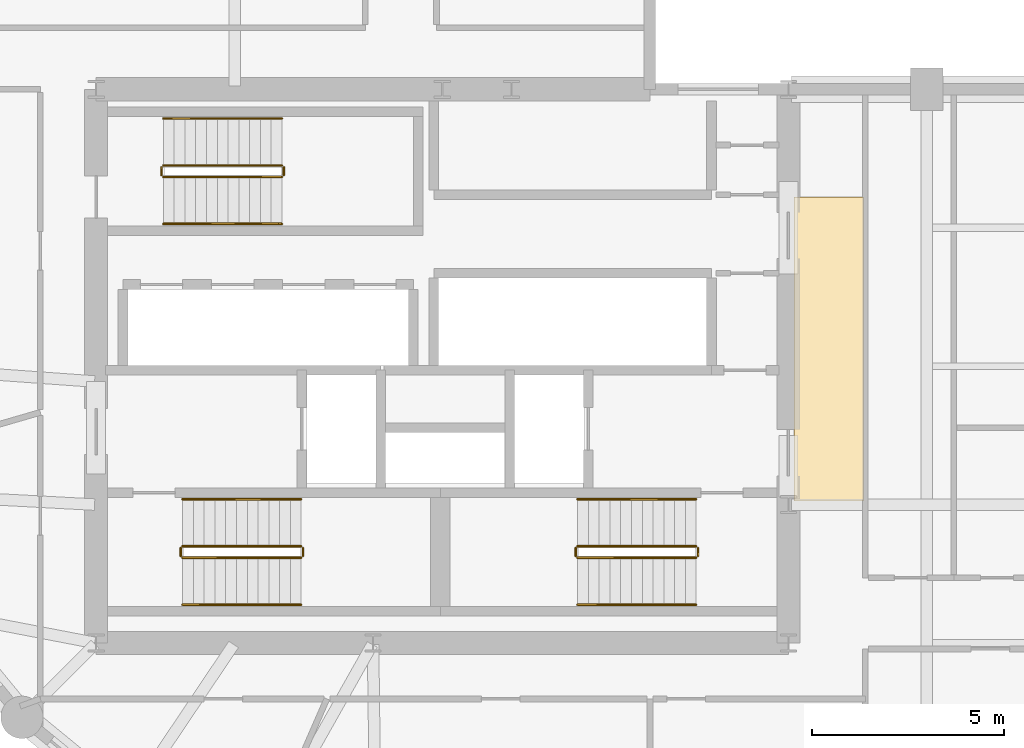
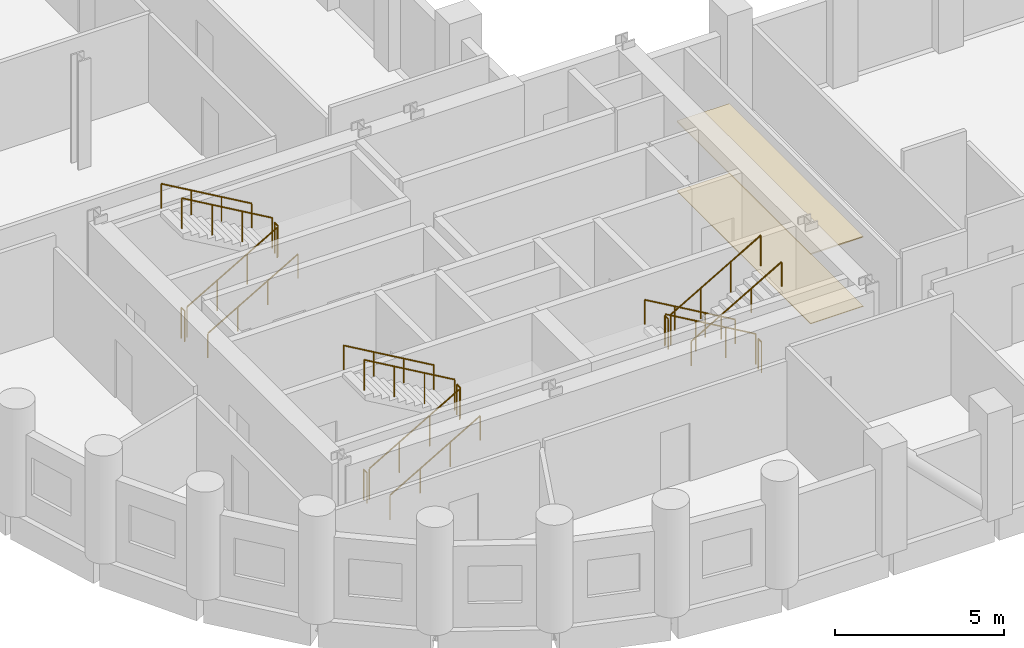
# One storey, part 7 of 8: 18 railings, 2 coverings.
"""IFC4 building model written with IfcOpenShell, lengths in metres."""

from ifc_helpers import new_model, si_unit, direction, frame, origin, origin_2d, place, context, subcontext, project, spatial, polyline, circle, outline, extrude, material, layer, layer_set, type_object, element, save


model = new_model("IFC4")

# Units and contexts
model_context = context("Model", 3, precision=1e-05, world=origin(), true_north=direction((0.0, 1.0)))
body_context = subcontext(model_context, "Body", "Model", "MODEL_VIEW")
ifc_project = project(units=[si_unit("LENGTHUNIT", "METRE"), si_unit("AREAUNIT", "SQUARE_METRE"), si_unit("VOLUMEUNIT", "CUBIC_METRE"), si_unit("PLANEANGLEUNIT", "RADIAN"), si_unit("MASSUNIT", "GRAM", prefix="KILO")], contexts=[model_context])

# Site, building, storey
site_placement = place(None, origin())
site = spatial("IfcSite", under=ifc_project, at=site_placement, CompositionType="ELEMENT")
building_placement = place(site_placement, origin())
building = spatial("IfcBuilding", under=site, at=building_placement, Name="Solnavia Interchange Tower", CompositionType="ELEMENT")
storey_placement = place(building_placement, frame((0.0, 0.0, 84.0)))
storey = spatial("IfcBuildingStorey", under=building, at=storey_placement, Name="L20", CompositionType="ELEMENT", Elevation=84.0)

# Coverings
ifc_material_1 = material(Name="Perforated Mineral-Fibre & Gypsum Ceiling", Category="gypsum")
ifc_layer_1 = layer(ifc_material_1, 0.0400390625)
ifc_layer_set_1 = layer_set([ifc_layer_1], Name="Perforated Mineral-Fibre & Gypsum Ceiling")
covering_type_1 = type_object("IfcCoveringType", Name="Covering-Ceiling-Acoustic40", PredefinedType="CEILING", material=ifc_layer_set_1)
covering_1_placement = place(storey_placement, frame((0.0, 0.0, 2.5)))
element("IfcCovering", 1, at=covering_1_placement, inside=storey, type_object=covering_type_1, Name="CLG-L20-01 Circulation suspended acoustic ceiling", PredefinedType="CEILING", context=body_context, shape_type="SweptSolid", body=[
    extrude(outline(polyline([(32.550048828125, 14.5), (34.35009765625, 14.5), (34.35009765625, 22.39990234375), (32.550048828125, 22.39990234375), (32.550048828125, 14.5)])), origin(), (0.0, 0.0, 1.0), 0.0400390625),
])
ifc_material_2 = material(Name="Polished Alicante Stone Terrazzo", Category="masonry")
ifc_layer_2 = layer(ifc_material_2, 0.02490234375)
ifc_layer_set_2 = layer_set([ifc_layer_2], Name="Polished Alicante Stone Terrazzo")
covering_type_2 = type_object("IfcCoveringType", Name="Covering-Flooring-Terrazzo25", PredefinedType="FLOORING", material=ifc_layer_set_2)
covering_2_placement = place(storey_placement, origin())
element("IfcCovering", 2, at=covering_2_placement, inside=storey, type_object=covering_type_2, Name="FLR-L20-01 Circulation floor finish", PredefinedType="FLOORING", context=body_context, shape_type="SweptSolid", body=[
    extrude(outline(polyline([(32.550048828125, 14.5), (34.35009765625, 14.5), (34.35009765625, 22.39990234375), (32.550048828125, 22.39990234375), (32.550048828125, 14.5)])), origin(), (0.0, 0.0, 1.0), 0.02490234375),
])

# Railings
ifc_material_3 = material(Name="Painted Steel Balustrade", Category="steel")
railing_type_1 = type_object("IfcRailingType", Name="Railing-StairGuard-1100", PredefinedType="GUARDRAIL", material=ifc_material_3)
railing_1_placement = place(storey_placement, frame((16.64990234375, 13.02001953125, 0.16259765625)))
element("IfcRailing", 3, at=railing_1_placement, inside=storey, type_object=railing_type_1, Name="L20 ST-1 stair guard 1", PredefinedType="GUARDRAIL", context=body_context, shape_type="SweptSolid", body=[
    extrude(circle(Radius=0.02392578125, at=origin_2d()), frame((0.0, 0.0, 1.09619140625), z_axis=(0.864920483161, 0.0, 0.501908913857), x_axis=(0.0, 1.0, 0.0)), (0.0, 0.0, 1.0), 3.56103515625),
    extrude(circle(Radius=0.02099609375, at=origin_2d()), origin(), (0.0, 0.0, 1.0), 1.072021484375),
    extrude(circle(Radius=0.02099609375, at=origin_2d()), frame((1.026611328125, 0.0, 0.595703125)), (0.0, 0.0, 1.0), 1.072021484375),
    extrude(circle(Radius=0.02099609375, at=origin_2d()), frame((2.053466796875, 0.0, 1.191650390625)), (0.0, 0.0, 1.0), 1.072021484375),
    extrude(circle(Radius=0.02099609375, at=origin_2d()), frame((3.080078125, 0.0, 1.787353515625)), (0.0, 0.0, 1.0), 1.072021484375),
])
railing_2_placement = place(storey_placement, frame((19.780029296875, 13.070068359375, 1.949951171875)))
element("IfcRailing", 4, at=railing_2_placement, inside=storey, type_object=railing_type_1, Name="L20 ST-1 stair guard 2", PredefinedType="GUARDRAIL", context=body_context, shape_type="SweptSolid", body=[
    extrude(circle(Radius=0.02392578125, at=origin_2d()), frame((0.0, 0.0, 1.09619140625), z_axis=(0.0, 1.0, 0.0), x_axis=(-1.0, 0.0, 0.0)), (0.0, 0.0, 1.0), 0.199951171875),
    extrude(circle(Radius=0.02099609375, at=origin_2d()), origin(), (0.0, 0.0, 1.0), 1.072021484375),
    extrude(circle(Radius=0.02099609375, at=origin_2d()), frame((0.0, 0.199951171875, 0.0)), (0.0, 0.0, 1.0), 1.072021484375),
])
railing_3_placement = place(storey_placement, frame((19.72998046875, 13.320068359375, 2.112548828125)))
element("IfcRailing", 5, at=railing_3_placement, inside=storey, type_object=railing_type_1, Name="L20 ST-1 stair guard 3", PredefinedType="GUARDRAIL", context=body_context, shape_type="SweptSolid", body=[
    extrude(circle(Radius=0.02392578125, at=origin_2d()), frame((0.0, 0.0, 1.09619140625), z_axis=(-0.864920483161, 0.0, 0.501908913857), x_axis=(0.0, -1.0, 0.0)), (0.0, 0.0, 1.0), 3.56103515625),
    extrude(circle(Radius=0.02099609375, at=origin_2d()), origin(), (0.0, 0.0, 1.0), 1.072021484375),
    extrude(circle(Radius=0.02099609375, at=origin_2d()), frame((-1.026611328125, 0.0, 0.595703125)), (0.0, 0.0, 1.0), 1.072021484375),
    extrude(circle(Radius=0.02099609375, at=origin_2d()), frame((-2.053466796875, 0.0, 1.191650390625)), (0.0, 0.0, 1.0), 1.072021484375),
    extrude(circle(Radius=0.02099609375, at=origin_2d()), frame((-3.080078125, 0.0, 1.787353515625)), (0.0, 0.0, 1.0), 1.072021484375),
])
railing_4_placement = place(storey_placement, frame((16.60009765625, 13.070068359375, 0.0)))
element("IfcRailing", 6, at=railing_4_placement, inside=storey, type_object=railing_type_1, Name="L20 ST-1 stair guard 4", PredefinedType="GUARDRAIL", context=body_context, shape_type="SweptSolid", body=[
    extrude(circle(Radius=0.02392578125, at=origin_2d()), frame((0.0, 0.0, 1.09619140625), z_axis=(0.0, 1.0, 0.0), x_axis=(-1.0, 0.0, 0.0)), (0.0, 0.0, 1.0), 0.199951171875),
    extrude(circle(Radius=0.02099609375, at=origin_2d()), origin(), (0.0, 0.0, 1.0), 1.072021484375),
    extrude(circle(Radius=0.02099609375, at=origin_2d()), frame((0.0, 0.199951171875, 0.0)), (0.0, 0.0, 1.0), 1.072021484375),
])
railing_5_placement = place(storey_placement, frame((30.0, 13.320068359375, 0.16259765625)))
element("IfcRailing", 7, at=railing_5_placement, inside=storey, type_object=railing_type_1, Name="L20 ST-2 stair guard 1", PredefinedType="GUARDRAIL", context=body_context, shape_type="SweptSolid", body=[
    extrude(circle(Radius=0.02392578125, at=origin_2d()), frame((0.0, 0.0, 1.09619140625), z_axis=(-0.864920483161, 0.0, 0.501908913857), x_axis=(0.0, -1.0, 0.0)), (0.0, 0.0, 1.0), 3.56103515625),
    extrude(circle(Radius=0.02099609375, at=origin_2d()), origin(), (0.0, 0.0, 1.0), 1.072021484375),
    extrude(circle(Radius=0.02099609375, at=origin_2d()), frame((-1.026611328125, 0.0, 0.595703125)), (0.0, 0.0, 1.0), 1.072021484375),
    extrude(circle(Radius=0.02099609375, at=origin_2d()), frame((-2.053466796875, 0.0, 1.191650390625)), (0.0, 0.0, 1.0), 1.072021484375),
    extrude(circle(Radius=0.02099609375, at=origin_2d()), frame((-3.080078125, 0.0, 1.787353515625)), (0.0, 0.0, 1.0), 1.072021484375),
])
railing_6_placement = place(storey_placement, frame((26.8701171875, 13.27001953125, 1.949951171875)))
element("IfcRailing", 8, at=railing_6_placement, inside=storey, type_object=railing_type_1, Name="L20 ST-2 stair guard 2", PredefinedType="GUARDRAIL", context=body_context, shape_type="SweptSolid", body=[
    extrude(circle(Radius=0.02392578125, at=origin_2d()), frame((0.0, 0.0, 1.09619140625), z_axis=(0.0, -1.0, 0.0), x_axis=(1.0, 0.0, 0.0)), (0.0, 0.0, 1.0), 0.199951171875),
    extrude(circle(Radius=0.02099609375, at=origin_2d()), origin(), (0.0, 0.0, 1.0), 1.072021484375),
    extrude(circle(Radius=0.02099609375, at=origin_2d()), frame((0.0, -0.199951171875, 0.0)), (0.0, 0.0, 1.0), 1.072021484375),
])
railing_7_placement = place(storey_placement, frame((26.919921875, 13.02001953125, 2.112548828125)))
element("IfcRailing", 9, at=railing_7_placement, inside=storey, type_object=railing_type_1, Name="L20 ST-2 stair guard 3", PredefinedType="GUARDRAIL", context=body_context, shape_type="SweptSolid", body=[
    extrude(circle(Radius=0.02392578125, at=origin_2d()), frame((0.0, 0.0, 1.09619140625), z_axis=(0.864920483161, 0.0, 0.501908913857), x_axis=(0.0, 1.0, 0.0)), (0.0, 0.0, 1.0), 3.56103515625),
    extrude(circle(Radius=0.02099609375, at=origin_2d()), origin(), (0.0, 0.0, 1.0), 1.072021484375),
    extrude(circle(Radius=0.02099609375, at=origin_2d()), frame((1.026611328125, 0.0, 0.595703125)), (0.0, 0.0, 1.0), 1.072021484375),
    extrude(circle(Radius=0.02099609375, at=origin_2d()), frame((2.053466796875, 0.0, 1.191650390625)), (0.0, 0.0, 1.0), 1.072021484375),
    extrude(circle(Radius=0.02099609375, at=origin_2d()), frame((3.080078125, 0.0, 1.787353515625)), (0.0, 0.0, 1.0), 1.072021484375),
])
railing_8_placement = place(storey_placement, frame((30.050048828125, 13.27001953125, 0.0)))
element("IfcRailing", 10, at=railing_8_placement, inside=storey, type_object=railing_type_1, Name="L20 ST-2 stair guard 4", PredefinedType="GUARDRAIL", context=body_context, shape_type="SweptSolid", body=[
    extrude(circle(Radius=0.02392578125, at=origin_2d()), frame((0.0, 0.0, 1.09619140625), z_axis=(0.0, -1.0, 0.0), x_axis=(1.0, 0.0, 0.0)), (0.0, 0.0, 1.0), 0.199951171875),
    extrude(circle(Radius=0.02099609375, at=origin_2d()), origin(), (0.0, 0.0, 1.0), 1.072021484375),
    extrude(circle(Radius=0.02099609375, at=origin_2d()), frame((0.0, -0.199951171875, 0.0)), (0.0, 0.0, 1.0), 1.072021484375),
])
railing_9_placement = place(storey_placement, frame((16.14990234375, 22.919921875, 0.16259765625)))
element("IfcRailing", 11, at=railing_9_placement, inside=storey, type_object=railing_type_1, Name="L20 ST-3 stair guard 1", PredefinedType="GUARDRAIL", context=body_context, shape_type="SweptSolid", body=[
    extrude(circle(Radius=0.02392578125, at=origin_2d()), frame((0.0, 0.0, 1.09619140625), z_axis=(0.864920483161, 0.0, 0.501908913857), x_axis=(0.0, 1.0, 0.0)), (0.0, 0.0, 1.0), 3.56103515625),
    extrude(circle(Radius=0.02099609375, at=origin_2d()), origin(), (0.0, 0.0, 1.0), 1.072021484375),
    extrude(circle(Radius=0.02099609375, at=origin_2d()), frame((1.026611328125, 0.0, 0.595703125)), (0.0, 0.0, 1.0), 1.072021484375),
    extrude(circle(Radius=0.02099609375, at=origin_2d()), frame((2.053466796875, 0.0, 1.191650390625)), (0.0, 0.0, 1.0), 1.072021484375),
    extrude(circle(Radius=0.02099609375, at=origin_2d()), frame((3.080078125, 0.0, 1.787353515625)), (0.0, 0.0, 1.0), 1.072021484375),
])
railing_10_placement = place(storey_placement, frame((19.280029296875, 22.969970703125, 1.949951171875)))
element("IfcRailing", 12, at=railing_10_placement, inside=storey, type_object=railing_type_1, Name="L20 ST-3 stair guard 2", PredefinedType="GUARDRAIL", context=body_context, shape_type="SweptSolid", body=[
    extrude(circle(Radius=0.02392578125, at=origin_2d()), frame((0.0, 0.0, 1.09619140625), z_axis=(0.0, 1.0, 0.0), x_axis=(-1.0, 0.0, 0.0)), (0.0, 0.0, 1.0), 0.199951171875),
    extrude(circle(Radius=0.02099609375, at=origin_2d()), origin(), (0.0, 0.0, 1.0), 1.072021484375),
    extrude(circle(Radius=0.02099609375, at=origin_2d()), frame((0.0, 0.199951171875, 0.0)), (0.0, 0.0, 1.0), 1.072021484375),
])
railing_11_placement = place(storey_placement, frame((19.22998046875, 23.219970703125, 2.112548828125)))
element("IfcRailing", 13, at=railing_11_placement, inside=storey, type_object=railing_type_1, Name="L20 ST-3 stair guard 3", PredefinedType="GUARDRAIL", context=body_context, shape_type="SweptSolid", body=[
    extrude(circle(Radius=0.02392578125, at=origin_2d()), frame((0.0, 0.0, 1.09619140625), z_axis=(-0.864920483161, 0.0, 0.501908913857), x_axis=(0.0, -1.0, 0.0)), (0.0, 0.0, 1.0), 3.56103515625),
    extrude(circle(Radius=0.02099609375, at=origin_2d()), origin(), (0.0, 0.0, 1.0), 1.072021484375),
    extrude(circle(Radius=0.02099609375, at=origin_2d()), frame((-1.026611328125, 0.0, 0.595703125)), (0.0, 0.0, 1.0), 1.072021484375),
    extrude(circle(Radius=0.02099609375, at=origin_2d()), frame((-2.053466796875, 0.0, 1.191650390625)), (0.0, 0.0, 1.0), 1.072021484375),
    extrude(circle(Radius=0.02099609375, at=origin_2d()), frame((-3.080078125, 0.0, 1.787353515625)), (0.0, 0.0, 1.0), 1.072021484375),
])
railing_12_placement = place(storey_placement, frame((16.10009765625, 22.969970703125, 0.0)))
element("IfcRailing", 14, at=railing_12_placement, inside=storey, type_object=railing_type_1, Name="L20 ST-3 stair guard 4", PredefinedType="GUARDRAIL", context=body_context, shape_type="SweptSolid", body=[
    extrude(circle(Radius=0.02392578125, at=origin_2d()), frame((0.0, 0.0, 1.09619140625), z_axis=(0.0, 1.0, 0.0), x_axis=(-1.0, 0.0, 0.0)), (0.0, 0.0, 1.0), 0.199951171875),
    extrude(circle(Radius=0.02099609375, at=origin_2d()), origin(), (0.0, 0.0, 1.0), 1.072021484375),
    extrude(circle(Radius=0.02099609375, at=origin_2d()), frame((0.0, 0.199951171875, 0.0)), (0.0, 0.0, 1.0), 1.072021484375),
])
ifc_material_4 = material(Name="Brushed Stainless Steel", Category="steel")
railing_type_2 = type_object("IfcRailingType", Name="Railing-StairHandrail-900", PredefinedType="HANDRAIL", material=ifc_material_4)
railing_13_placement = place(storey_placement, frame((16.64990234375, 11.800048828125, 0.16259765625)))
element("IfcRailing", 15, at=railing_13_placement, inside=storey, type_object=railing_type_2, Name="L20 ST-1 stair handrail 1", PredefinedType="HANDRAIL", context=body_context, shape_type="SweptSolid", body=[
    extrude(circle(Radius=0.02392578125, at=origin_2d()), frame((0.0, 0.0, 0.8759765625), z_axis=(0.864920483161, 0.0, 0.501908913857), x_axis=(0.0, 1.0, 0.0)), (0.0, 0.0, 1.0), 3.56103515625),
    extrude(circle(Radius=0.02099609375, at=origin_2d()), origin(), (0.0, 0.0, 1.0), 0.851806640625),
    extrude(circle(Radius=0.02099609375, at=origin_2d()), frame((1.026611328125, 0.0, 0.595703125)), (0.0, 0.0, 1.0), 0.851806640625),
    extrude(circle(Radius=0.02099609375, at=origin_2d()), frame((2.053466796875, 0.0, 1.191650390625)), (0.0, 0.0, 1.0), 0.851806640625),
    extrude(circle(Radius=0.02099609375, at=origin_2d()), frame((3.080078125, 0.0, 1.787353515625)), (0.0, 0.0, 1.0), 0.851806640625),
])
for number, where, name in (
    (16, (19.72998046875, 14.5400390625, 2.112548828125), "L20 ST-1 stair handrail 2"),
    (17, (30.0, 14.5400390625, 0.16259765625), "L20 ST-2 stair handrail 1"),
):
    element("IfcRailing", number, at=place(storey_placement, frame(where)), inside=storey, type_object=railing_type_2, Name=name, PredefinedType="HANDRAIL", context=body_context, shape_type="SweptSolid", body=[
        extrude(circle(Radius=0.02392578125, at=origin_2d()), frame((0.0, 0.0, 0.8759765625), z_axis=(-0.864920483161, 0.0, 0.501908913857), x_axis=(0.0, -1.0, 0.0)), (0.0, 0.0, 1.0), 3.56103515625),
        extrude(circle(Radius=0.02099609375, at=origin_2d()), origin(), (0.0, 0.0, 1.0), 0.851806640625),
        extrude(circle(Radius=0.02099609375, at=origin_2d()), frame((-1.026611328125, 0.0, 0.595703125)), (0.0, 0.0, 1.0), 0.851806640625),
        extrude(circle(Radius=0.02099609375, at=origin_2d()), frame((-2.053466796875, 0.0, 1.191650390625)), (0.0, 0.0, 1.0), 0.851806640625),
        extrude(circle(Radius=0.02099609375, at=origin_2d()), frame((-3.080078125, 0.0, 1.787353515625)), (0.0, 0.0, 1.0), 0.851806640625),
    ])
for number, where, name in (
    (18, (26.919921875, 11.800048828125, 2.112548828125), "L20 ST-2 stair handrail 2"),
    (19, (16.14990234375, 21.699951171875, 0.16259765625), "L20 ST-3 stair handrail 1"),
):
    element("IfcRailing", number, at=place(storey_placement, frame(where)), inside=storey, type_object=railing_type_2, Name=name, PredefinedType="HANDRAIL", context=body_context, shape_type="SweptSolid", body=[
        extrude(circle(Radius=0.02392578125, at=origin_2d()), frame((0.0, 0.0, 0.8759765625), z_axis=(0.864920483161, 0.0, 0.501908913857), x_axis=(0.0, 1.0, 0.0)), (0.0, 0.0, 1.0), 3.56103515625),
        extrude(circle(Radius=0.02099609375, at=origin_2d()), origin(), (0.0, 0.0, 1.0), 0.851806640625),
        extrude(circle(Radius=0.02099609375, at=origin_2d()), frame((1.026611328125, 0.0, 0.595703125)), (0.0, 0.0, 1.0), 0.851806640625),
        extrude(circle(Radius=0.02099609375, at=origin_2d()), frame((2.053466796875, 0.0, 1.191650390625)), (0.0, 0.0, 1.0), 0.851806640625),
        extrude(circle(Radius=0.02099609375, at=origin_2d()), frame((3.080078125, 0.0, 1.787353515625)), (0.0, 0.0, 1.0), 0.851806640625),
    ])
railing_14_placement = place(storey_placement, frame((19.22998046875, 24.43994140625, 2.112548828125)))
element("IfcRailing", 20, at=railing_14_placement, inside=storey, type_object=railing_type_2, Name="L20 ST-3 stair handrail 2", PredefinedType="HANDRAIL", context=body_context, shape_type="SweptSolid", body=[
    extrude(circle(Radius=0.02392578125, at=origin_2d()), frame((0.0, 0.0, 0.8759765625), z_axis=(-0.864920483161, 0.0, 0.501908913857), x_axis=(0.0, -1.0, 0.0)), (0.0, 0.0, 1.0), 3.56103515625),
    extrude(circle(Radius=0.02099609375, at=origin_2d()), origin(), (0.0, 0.0, 1.0), 0.851806640625),
    extrude(circle(Radius=0.02099609375, at=origin_2d()), frame((-1.026611328125, 0.0, 0.595703125)), (0.0, 0.0, 1.0), 0.851806640625),
    extrude(circle(Radius=0.02099609375, at=origin_2d()), frame((-2.053466796875, 0.0, 1.191650390625)), (0.0, 0.0, 1.0), 0.851806640625),
    extrude(circle(Radius=0.02099609375, at=origin_2d()), frame((-3.080078125, 0.0, 1.787353515625)), (0.0, 0.0, 1.0), 0.851806640625),
])

save(model, "model.ifc")
